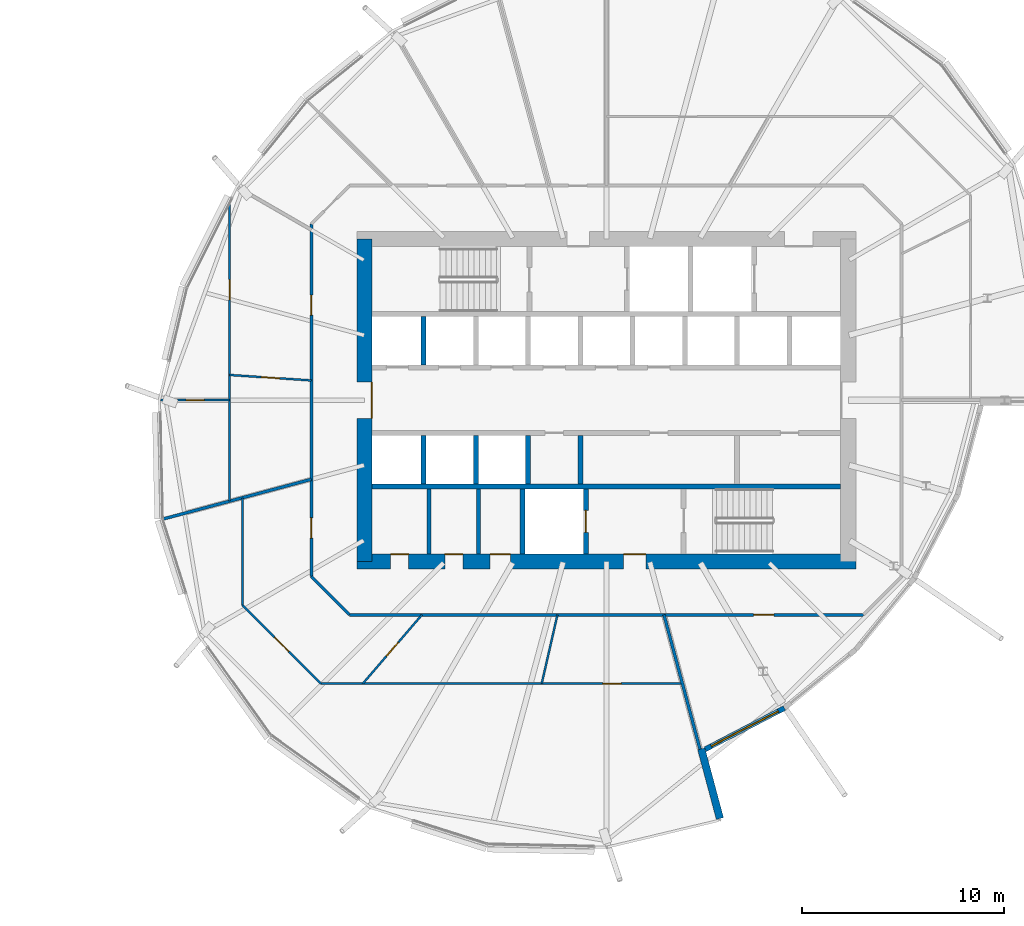
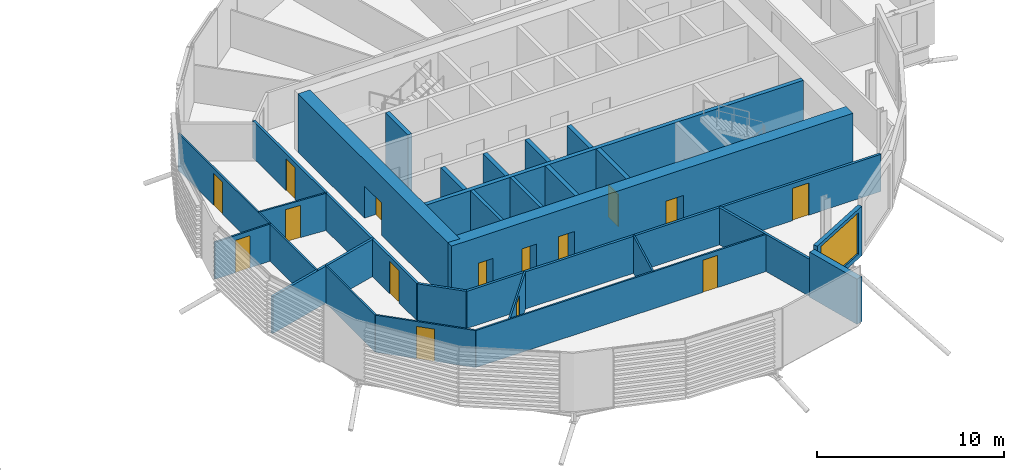
# One storey, part 23 of 39: 28 walls, 15 doors, 1 window, 16 openings.
"""IFC4 building model written with IfcOpenShell, lengths in metres."""

from ifc_helpers import new_model, si_unit, direction, frame, frame_2d, origin, place, context, subcontext, project, spatial, rectangle, extrude, material, layer, layer_set, type_object, element, fill, save


model = new_model("IFC4")

# Units and contexts
model_context = context("Model", 3, precision=1e-05, world=origin(), true_north=direction((0.0, 1.0)))
body_context = subcontext(model_context, "Body", "Model", "MODEL_VIEW")
ifc_project = project(units=[si_unit("LENGTHUNIT", "METRE"), si_unit("AREAUNIT", "SQUARE_METRE"), si_unit("VOLUMEUNIT", "CUBIC_METRE"), si_unit("PLANEANGLEUNIT", "RADIAN"), si_unit("MASSUNIT", "GRAM", prefix="KILO")], contexts=[model_context])

# Site, building, storey
site_placement = place(None, origin())
site = spatial("IfcSite", under=ifc_project, at=site_placement, CompositionType="ELEMENT")
building_placement = place(site_placement, origin())
building = spatial("IfcBuilding", under=site, at=building_placement, Name="Rimbun Link Towers", CompositionType="ELEMENT")
storey_placement = place(building_placement, frame((0.0, 0.0, 96.800048828125)))
storey = spatial("IfcBuildingStorey", under=building, at=storey_placement, Name="L23", CompositionType="ELEMENT", Elevation=96.800048828125)

# Wall, opening, window
ifc_material_1 = material(Name="Dark enamelled glass spandrel on insulated aluminium backpan", Category="aluminium")
ifc_layer_1 = layer(ifc_material_1, 0.25)
ifc_layer_set_1 = layer_set([ifc_layer_1], Name="CS dark enamelled spandrel wall 250")
wall_type_1 = type_object("IfcWallType", Name="CS dark enamelled spandrel wall 250", PredefinedType="STANDARD", material=ifc_layer_set_1)
wall_1_placement = place(storey_placement, frame((40.57958984375, -15.278564453125, 0.0), z_axis=(0.0, 0.0, 1.0), x_axis=(-0.886942309025, -0.461880223069, 0.0)))
wall_1 = element("IfcWall", 1, at=wall_1_placement, inside=storey, type_object=wall_type_1, Name="Crease spandrel wall", PredefinedType="STANDARD", context=body_context, shape_type="SweptSolid", body=[
    extrude(rectangle(XDim=4.429443359375, YDim=0.25, at=frame_2d((2.21484375, 0.0))), origin(), (0.0, 0.0, 1.0), 3.2236328125),
])
opening_1_placement = place(wall_1_placement, frame((0.33984375, 0.0, 0.300048828125)))
opening_1 = element("IfcOpeningElement", 2, at=opening_1_placement, cuts=wall_1, Name="Opening WR38H270", PredefinedType="OPENING", context=body_context, shape_type="SweptSolid", body=[
    extrude(rectangle(XDim=3.75, YDim=2.699951171875, at=frame_2d((1.875, 1.35009765625))), frame((0.0, 0.135009765625, 0.0), z_axis=(0.0, -1.0, 0.0), x_axis=(1.0, 0.0, 0.0)), (0.0, 0.0, 1.0), 0.27001953125),
])
ifc_material_2 = material(Name="Aluminium framed fixed window, dark tinted low-e glass", Category="aluminium")
window_type = type_object("IfcWindowType", Name="WR ribbon window 3750X2700", PartitioningType="SINGLE_PANEL", PredefinedType="WINDOW", material=ifc_material_2)
window_placement = place(opening_1_placement, origin())
window = element("IfcWindow", 3, at=window_placement, inside=storey, type_object=window_type, Name="Crease ribbon window", OverallHeight=2.699951171875, OverallWidth=3.75, PartitioningType="SINGLE_PANEL", PredefinedType="WINDOW", context=body_context, shape_type="SweptSolid", body=[
    extrude(rectangle(XDim=3.75, YDim=2.699951171875, at=frame_2d((1.875, 1.35009765625))), frame((0.0, 0.030029296875, 0.0), z_axis=(0.0, -1.0, 0.0), x_axis=(1.0, 0.0, 0.0)), (0.0, 0.0, 1.0), 0.06005859375),
])
fill(opening_1, window)

# Walls
ifc_material_3 = material(Name="Dark enamelled glass spandrel on insulated aluminium backpan", Category="aluminium")
ifc_layer_2 = layer(ifc_material_3, 0.3701171875)
ifc_layer_set_2 = layer_set([ifc_layer_2], Name="CS dark enamelled spandrel wall 370")
wall_type_2 = type_object("IfcWallType", Name="CS dark enamelled spandrel wall 370", PredefinedType="STANDARD", material=ifc_layer_set_2)
wall_2_placement = place(storey_placement, frame((36.453369140625, -17.30224609375, 0.0), z_axis=(0.0, 0.0, 1.0), x_axis=(0.258867887085, -0.965912737796, 0.0)))
element("IfcWall", 4, at=wall_2_placement, inside=storey, type_object=wall_type_2, Name="Crease spandrel wall", PredefinedType="STANDARD", context=body_context, shape_type="SweptSolid", body=[
    extrude(rectangle(XDim=3.580078125, YDim=0.3701171875, at=frame_2d((1.7900390625, 0.0))), origin(), (0.0, 0.0, 1.0), 2.9462890625),
])
ifc_material_4 = material(Name="Masonry blockwork", Category="masonry")
ifc_layer_3 = layer(ifc_material_4, 0.199951171875)
ifc_layer_set_3 = layer_set([ifc_layer_3], Name="Core partition 200")
wall_type_3 = type_object("IfcWallType", Name="Core partition 200", PredefinedType="PARTITIONING", material=ifc_layer_set_3)
for number, where, z_axis, x_axis, name in (
    (5, (22.949951171875, -4.39990234375, 0.0), (0.0, 0.0, 1.0), (0.0, -1.0, 0.0), "L23 T2 core wall C1"),
    (6, (25.39990234375, -4.39990234375, 0.0), (0.0, 0.0, 1.0), (0.0, -1.0, 0.0), "L23 T2 core wall C2"),
):
    element("IfcWall", number, at=place(storey_placement, frame(where, z_axis=z_axis, x_axis=x_axis)), inside=storey, type_object=wall_type_3, Name=name, PredefinedType="PARTITIONING", context=body_context, shape_type="SweptSolid", body=[
        extrude(rectangle(XDim=3.22509765625, YDim=0.199951171875, at=frame_2d((1.612548828125, 0.0))), origin(), (0.0, 0.0, 1.0), 3.800048828125),
    ])

# Wall, openings, doors
ifc_material_5 = material(Name="Concrete C60/75", Category="concrete")
ifc_layer_4 = layer(ifc_material_5, 0.75)
ifc_layer_set_4 = layer_set([ifc_layer_4], Name="Core shear wall 750")
wall_type_4 = type_object("IfcWallType", Name="Core shear wall 750", PredefinedType="SHEAR", material=ifc_layer_set_4)
wall_3_placement = place(storey_placement, frame((19.375, -8.0, 0.0), z_axis=(0.0, 0.0, 1.0), x_axis=(1.0, 0.0, 0.0)))
wall_3 = element("IfcWall", 7, at=wall_3_placement, inside=storey, type_object=wall_type_4, Name="L23 T2 core wall S", PredefinedType="SHEAR", context=body_context, shape_type="SweptSolid", body=[
    extrude(rectangle(XDim=24.75, YDim=0.75, at=frame_2d((12.375, 0.0))), origin(), (0.0, 0.0, 1.0), 3.800048828125),
])
opening_2_placement = place(wall_3_placement, frame((13.22509765625, 0.0, 0.0)))
opening_2 = element("IfcOpeningElement", 8, at=opening_2_placement, cuts=wall_3, Name="Opening C2DCF01S", PredefinedType="OPENING", context=body_context, shape_type="SweptSolid", body=[
    extrude(rectangle(XDim=1.10009765625, YDim=2.10009765625, at=frame_2d((0.550048828125, 1.050048828125))), frame((0.0, 0.385009765625, 0.0), z_axis=(0.0, -1.0, 0.0), x_axis=(1.0, 0.0, 0.0)), (0.0, 0.0, 1.0), 0.77001953125),
])
opening_3_placement = place(wall_3_placement, frame((1.66259765625, 0.0, 0.0)))
opening_3 = element("IfcOpeningElement", 9, at=opening_3_placement, cuts=wall_3, Name="Opening C2DWC02S", PredefinedType="OPENING", context=body_context, shape_type="SweptSolid", body=[
    extrude(rectangle(XDim=0.89990234375, YDim=2.10009765625, at=frame_2d((0.449951171875, 1.050048828125))), frame((0.0, 0.385009765625, 0.0), z_axis=(0.0, -1.0, 0.0), x_axis=(1.0, 0.0, 0.0)), (0.0, 0.0, 1.0), 0.77001953125),
])
opening_4_placement = place(wall_3_placement, frame((4.35009765625, 0.0, 0.0)))
opening_4 = element("IfcOpeningElement", 10, at=opening_4_placement, cuts=wall_3, Name="Opening C2DWC03S", PredefinedType="OPENING", context=body_context, shape_type="SweptSolid", body=[
    extrude(rectangle(XDim=0.89990234375, YDim=2.10009765625, at=frame_2d((0.449951171875, 1.050048828125))), frame((0.0, 0.385009765625, 0.0), z_axis=(0.0, -1.0, 0.0), x_axis=(1.0, 0.0, 0.0)), (0.0, 0.0, 1.0), 0.77001953125),
])
opening_5_placement = place(wall_3_placement, frame((6.60009765625, 0.0, 0.0)))
opening_5 = element("IfcOpeningElement", 11, at=opening_5_placement, cuts=wall_3, Name="Opening C2DAW04S", PredefinedType="OPENING", context=body_context, shape_type="SweptSolid", body=[
    extrude(rectangle(XDim=1.0, YDim=2.10009765625, at=frame_2d((0.5, 1.050048828125))), frame((0.0, 0.385009765625, 0.0), z_axis=(0.0, -1.0, 0.0), x_axis=(1.0, 0.0, 0.0)), (0.0, 0.0, 1.0), 0.77001953125),
])
ifc_material_6 = material(Name="Timber", Category="wood")
door_type_1 = type_object("IfcDoorType", Name="Accessible WC door", OperationType="SINGLE_SWING_LEFT", PredefinedType="DOOR", material=ifc_material_6)
door_1_placement = place(opening_5_placement, origin())
door_1 = element("IfcDoor", 12, at=door_1_placement, inside=storey, type_object=door_type_1, Name="L23 T2 accessible wc door", OperationType="SINGLE_SWING_RIGHT", OverallHeight=2.10009765625, OverallWidth=1.0, PredefinedType="DOOR", context=body_context, shape_type="SweptSolid", body=[
    extrude(rectangle(XDim=1.0, YDim=2.10009765625, at=frame_2d((0.5, 1.050048828125))), frame((0.0, 0.375, 0.0), z_axis=(0.0, -1.0, 0.0), x_axis=(1.0, 0.0, 0.0)), (0.0, 0.0, 1.0), 0.050048828125),
])
fill(opening_5, door_1)
ifc_material_7 = material(Name="Steel fire door set", Category="steel")
door_type_2 = type_object("IfcDoorType", Name="Core fire door single", OperationType="SINGLE_SWING_LEFT", PredefinedType="DOOR", material=ifc_material_7)
door_2_placement = place(opening_2_placement, origin())
door_2 = element("IfcDoor", 13, at=door_2_placement, inside=storey, type_object=door_type_2, Name="L23 T2 firefighting lobby s door", OperationType="SINGLE_SWING_RIGHT", OverallHeight=2.10009765625, OverallWidth=1.10009765625, PredefinedType="DOOR", context=body_context, shape_type="SweptSolid", body=[
    extrude(rectangle(XDim=1.10009765625, YDim=2.10009765625, at=frame_2d((0.550048828125, 1.050048828125))), frame((0.0, 0.375, 0.0), z_axis=(0.0, -1.0, 0.0), x_axis=(1.0, 0.0, 0.0)), (0.0, 0.0, 1.0), 0.050048828125),
])
fill(opening_2, door_2)
ifc_material_8 = material(Name="Timber", Category="wood")
door_type_3 = type_object("IfcDoorType", Name="WC door", OperationType="SINGLE_SWING_LEFT", PredefinedType="DOOR", material=ifc_material_8)
door_3_placement = place(opening_3_placement, origin())
door_3 = element("IfcDoor", 14, at=door_3_placement, inside=storey, type_object=door_type_3, Name="L23 T2 male wc door", OperationType="SINGLE_SWING_RIGHT", OverallHeight=2.10009765625, OverallWidth=0.89990234375, PredefinedType="DOOR", context=body_context, shape_type="SweptSolid", body=[
    extrude(rectangle(XDim=0.89990234375, YDim=2.10009765625, at=frame_2d((0.449951171875, 1.050048828125))), frame((0.0, 0.375, 0.0), z_axis=(0.0, -1.0, 0.0), x_axis=(1.0, 0.0, 0.0)), (0.0, 0.0, 1.0), 0.050048828125),
])
fill(opening_3, door_3)
door_4_placement = place(opening_4_placement, origin())
door_4 = element("IfcDoor", 15, at=door_4_placement, inside=storey, type_object=door_type_3, Name="L23 T2 female wc door", OperationType="SINGLE_SWING_RIGHT", OverallHeight=2.10009765625, OverallWidth=0.89990234375, PredefinedType="DOOR", context=body_context, shape_type="SweptSolid", body=[
    extrude(rectangle(XDim=0.89990234375, YDim=2.10009765625, at=frame_2d((0.449951171875, 1.050048828125))), frame((0.0, 0.375, 0.0), z_axis=(0.0, -1.0, 0.0), x_axis=(1.0, 0.0, 0.0)), (0.0, 0.0, 1.0), 0.050048828125),
])
fill(opening_4, door_4)

# Wall, opening, door
wall_4_placement = place(storey_placement, frame((19.75, -8.0, 0.0), z_axis=(0.0, 0.0, 1.0), x_axis=(0.0, 1.0, 0.0)))
wall_4 = element("IfcWall", 16, at=wall_4_placement, inside=storey, type_object=wall_type_4, Name="L23 T2 core wall W", PredefinedType="SHEAR", context=body_context, shape_type="SweptSolid", body=[
    extrude(rectangle(XDim=16.0, YDim=0.75, at=frame_2d((8.0, 0.0))), origin(), (0.0, 0.0, 1.0), 3.800048828125),
])
opening_6_placement = place(wall_4_placement, frame((7.10009765625, 0.0, 0.0)))
opening_6 = element("IfcOpeningElement", 17, at=opening_6_placement, cuts=wall_4, Name="Opening C2DCL01W", PredefinedType="OPENING", context=body_context, shape_type="SweptSolid", body=[
    extrude(rectangle(XDim=1.800048828125, YDim=2.10009765625, at=frame_2d((0.89990234375, 1.050048828125))), frame((0.0, 0.385009765625, 0.0), z_axis=(0.0, -1.0, 0.0), x_axis=(1.0, 0.0, 0.0)), (0.0, 0.0, 1.0), 0.77001953125),
])
ifc_material_9 = material(Name="Steel fire door set", Category="steel")
door_type_4 = type_object("IfcDoorType", Name="Core lobby door double", OperationType="DOUBLE_DOOR_SINGLE_SWING", PredefinedType="DOOR", material=ifc_material_9)
door_5_placement = place(opening_6_placement, origin())
door_5 = element("IfcDoor", 18, at=door_5_placement, inside=storey, type_object=door_type_4, Name="L23 T2 lift lobby door", OperationType="DOUBLE_DOOR_SINGLE_SWING", OverallHeight=2.10009765625, OverallWidth=1.800048828125, PredefinedType="DOOR", context=body_context, shape_type="SweptSolid", body=[
    extrude(rectangle(XDim=1.800048828125, YDim=2.10009765625, at=frame_2d((0.89990234375, 1.050048828125))), frame((0.0, -0.3251953125, 0.0), z_axis=(0.0, -1.0, 0.0), x_axis=(1.0, 0.0, 0.0)), (0.0, 0.0, 1.0), 0.050048828125),
])
fill(opening_6, door_5)

ifc_material_10 = material(Name="Plasterboard on steel stud, mineral wool", Category="steel")
ifc_layer_5 = layer(ifc_material_10, 0.14990234375)
ifc_layer_set_5 = layer_set([ifc_layer_5], Name="Corridor wall EI 30 150 mm")
wall_type_5 = type_object("IfcWallType", Name="Corridor wall EI 30 150 mm", PredefinedType="PARTITIONING", material=ifc_layer_set_5)
wall_5_placement = place(storey_placement, frame((44.501708984375, -10.64990234375, 0.0), z_axis=(0.0, 0.0, 1.0), x_axis=(-1.0, 0.0, 0.0)))
wall_5 = element("IfcWall", 19, at=wall_5_placement, inside=storey, type_object=wall_type_5, Name="Corridor wall EI 30 150 mm", PredefinedType="PARTITIONING", context=body_context, shape_type="SweptSolid", body=[
    extrude(rectangle(XDim=25.50341796875, YDim=0.14990234375, at=frame_2d((12.751708984375, 0.0))), origin(), (0.0, 0.0, 1.0), 2.419921875),
])
opening_7_placement = place(wall_5_placement, frame((4.448974609375, 0.0, 0.0)))
opening_7 = element("IfcOpeningElement", 20, at=opening_7_placement, cuts=wall_5, Name="Opening D01", PredefinedType="OPENING", context=body_context, shape_type="SweptSolid", body=[
    extrude(rectangle(XDim=1.0, YDim=2.10009765625, at=frame_2d((0.5, 1.050048828125))), frame((0.0, 0.0849609375, 0.0), z_axis=(0.0, -1.0, 0.0), x_axis=(1.0, 0.0, 0.0)), (0.0, 0.0, 1.0), 0.169921875),
])
ifc_material_11 = material(Name="Fire-resisting timber door leaf", Category="wood")
door_type_5 = type_object("IfcDoorType", Name="Fire door FD30S 1000", OperationType="NOTDEFINED", PredefinedType="DOOR", material=ifc_material_11)
door_6_placement = place(opening_7_placement, origin())
door_6 = element("IfcDoor", 21, at=door_6_placement, inside=storey, type_object=door_type_5, Name="Fire door FD30S 1000 to Terrace office", OperationType="SINGLE_SWING_RIGHT", OverallHeight=2.10009765625, OverallWidth=1.0, PredefinedType="DOOR", context=body_context, shape_type="SweptSolid", body=[
    extrude(rectangle(XDim=1.0, YDim=2.10009765625, at=frame_2d((0.5, 1.050048828125))), frame((0.0, 0.02490234375, 0.0), z_axis=(0.0, -1.0, 0.0), x_axis=(1.0, 0.0, 0.0)), (0.0, 0.0, 1.0), 0.050048828125),
])
fill(opening_7, door_6)

# Wall
wall_6_placement = place(storey_placement, frame((17.10009765625, -8.751708984375, 0.0), z_axis=(0.0, 0.0, 1.0), x_axis=(0.707106781187, -0.707106781187, 0.0)))
element("IfcWall", 22, at=wall_6_placement, inside=storey, type_object=wall_type_5, Name="Corridor wall EI 30 150 mm", PredefinedType="PARTITIONING", context=body_context, shape_type="SweptSolid", body=[
    extrude(rectangle(XDim=2.6845703125, YDim=0.14990234375, at=frame_2d((1.34228515625, 0.0))), origin(), (0.0, 0.0, 1.0), 2.419921875),
])

# Wall, openings, doors
wall_7_placement = place(storey_placement, frame((17.10009765625, -8.751708984375, 0.0), z_axis=(0.0, 0.0, 1.0), x_axis=(0.0, 1.0, 0.0)))
wall_7 = element("IfcWall", 23, at=wall_7_placement, inside=storey, type_object=wall_type_5, Name="Corridor wall EI 30 150 mm", PredefinedType="PARTITIONING", context=body_context, shape_type="SweptSolid", body=[
    extrude(rectangle(XDim=17.50341796875, YDim=0.14990234375, at=frame_2d((8.751708984375, 0.0))), origin(), (0.0, 0.0, 1.0), 2.419921875),
])
opening_8_placement = place(wall_7_placement, frame((12.971435546875, 0.0, 0.0)))
opening_8 = element("IfcOpeningElement", 24, at=opening_8_placement, cuts=wall_7, Name="Opening D01", PredefinedType="OPENING", context=body_context, shape_type="SweptSolid", body=[
    extrude(rectangle(XDim=1.0, YDim=2.10009765625, at=frame_2d((0.5, 1.050048828125))), frame((0.0, 0.0849609375, 0.0), z_axis=(0.0, -1.0, 0.0), x_axis=(1.0, 0.0, 0.0)), (0.0, 0.0, 1.0), 0.169921875),
])
opening_9_placement = place(wall_7_placement, frame((1.9130859375, 0.0, 0.0)))
opening_9 = element("IfcOpeningElement", 25, at=opening_9_placement, cuts=wall_7, Name="Opening D01", PredefinedType="OPENING", context=body_context, shape_type="SweptSolid", body=[
    extrude(rectangle(XDim=1.0, YDim=2.10009765625, at=frame_2d((0.5, 1.050048828125))), frame((0.0, 0.0849609375, 0.0), z_axis=(0.0, -1.0, 0.0), x_axis=(1.0, 0.0, 0.0)), (0.0, 0.0, 1.0), 0.169921875),
])
door_7_placement = place(opening_8_placement, origin())
door_7 = element("IfcDoor", 26, at=door_7_placement, inside=storey, type_object=door_type_5, Name="Fire door FD30S 1000 to Reception", OperationType="SINGLE_SWING_RIGHT", OverallHeight=2.10009765625, OverallWidth=1.0, PredefinedType="DOOR", context=body_context, shape_type="SweptSolid", body=[
    extrude(rectangle(XDim=1.0, YDim=2.10009765625, at=frame_2d((0.5, 1.050048828125))), frame((0.0, 0.02490234375, 0.0), z_axis=(0.0, -1.0, 0.0), x_axis=(1.0, 0.0, 0.0)), (0.0, 0.0, 1.0), 0.050048828125),
])
fill(opening_8, door_7)
door_8_placement = place(opening_9_placement, origin())
door_8 = element("IfcDoor", 27, at=door_8_placement, inside=storey, type_object=door_type_5, Name="Fire door FD30S 1000 to Reception", OperationType="SINGLE_SWING_LEFT", OverallHeight=2.10009765625, OverallWidth=1.0, PredefinedType="DOOR", context=body_context, shape_type="SweptSolid", body=[
    extrude(rectangle(XDim=1.0, YDim=2.10009765625, at=frame_2d((0.5, 1.050048828125))), frame((0.0, 0.02490234375, 0.0), z_axis=(0.0, -1.0, 0.0), x_axis=(1.0, 0.0, 0.0)), (0.0, 0.0, 1.0), 0.050048828125),
])
fill(opening_9, door_8)

# Wall, opening, door
ifc_material_12 = material(Name="Plasterboard on steel stud", Category="steel")
ifc_layer_6 = layer(ifc_material_12, 0.10009765625)
ifc_layer_set_6 = layer_set([ifc_layer_6], Name="Plasterboard partition 100 mm")
wall_type_6 = type_object("IfcWallType", Name="Plasterboard partition 100 mm", PredefinedType="PARTITIONING", material=ifc_layer_set_6)
wall_8_placement = place(storey_placement, frame((17.10009765625, 0.981201171875, 0.0), z_axis=(0.0, 0.0, 1.0), x_axis=(-0.997764885584, 0.066822399655, 0.0)))
wall_8 = element("IfcWall", 28, at=wall_8_placement, inside=storey, type_object=wall_type_6, Name="Plasterboard partition 100 mm", PredefinedType="PARTITIONING", context=body_context, shape_type="SweptSolid", body=[
    extrude(rectangle(XDim=4.05908203125, YDim=0.10009765625, at=frame_2d((2.029541015625, 0.0))), origin(), (0.0, 0.0, 1.0), 2.419921875),
])
opening_10_placement = place(wall_8_placement, frame((1.57958984375, 0.0, 0.0)))
opening_10 = element("IfcOpeningElement", 29, at=opening_10_placement, cuts=wall_8, Name="Opening D04", PredefinedType="OPENING", context=body_context, shape_type="SweptSolid", body=[
    extrude(rectangle(XDim=0.89990234375, YDim=2.10009765625, at=frame_2d((0.449951171875, 1.050048828125))), frame((0.0, 0.06005859375, 0.0), z_axis=(0.0, -1.0, 0.0), x_axis=(1.0, 0.0, 0.0)), (0.0, 0.0, 1.0), 0.1201171875),
])
ifc_material_13 = material(Name="Timber door leaf", Category="wood")
door_type_6 = type_object("IfcDoorType", Name="Flush door 900", OperationType="NOTDEFINED", PredefinedType="DOOR", material=ifc_material_13)
door_9_placement = place(opening_10_placement, origin())
door_9 = element("IfcDoor", 30, at=door_9_placement, inside=storey, type_object=door_type_6, Name="Flush door 900 to Pantry", OperationType="SINGLE_SWING_LEFT", OverallHeight=2.10009765625, OverallWidth=0.89990234375, PredefinedType="DOOR", context=body_context, shape_type="SweptSolid", body=[
    extrude(rectangle(XDim=0.89990234375, YDim=2.10009765625, at=frame_2d((0.449951171875, 1.050048828125))), frame((0.0, 0.02490234375, 0.0), z_axis=(0.0, -1.0, 0.0), x_axis=(1.0, 0.0, 0.0)), (0.0, 0.0, 1.0), 0.050048828125),
])
fill(opening_10, door_9)

wall_9_placement = place(storey_placement, frame((13.050048828125, 0.0, 0.0), z_axis=(0.0, 0.0, 1.0), x_axis=(0.0, 1.0, 0.0)))
wall_9 = element("IfcWall", 31, at=wall_9_placement, inside=storey, type_object=wall_type_6, Name="Plasterboard partition 100 mm", PredefinedType="PARTITIONING", context=body_context, shape_type="SweptSolid", body=[
    extrude(rectangle(XDim=9.74658203125, YDim=0.10009765625, at=frame_2d((4.873291015625, 0.0))), origin(), (0.0, 0.0, 1.0), 2.419921875),
])
opening_11_placement = place(wall_9_placement, frame((4.984619140625, 0.0, 0.0)))
opening_11 = element("IfcOpeningElement", 32, at=opening_11_placement, cuts=wall_9, Name="Opening D03", PredefinedType="OPENING", context=body_context, shape_type="SweptSolid", body=[
    extrude(rectangle(XDim=1.0, YDim=2.10009765625, at=frame_2d((0.5, 1.050048828125))), frame((0.0, 0.06005859375, 0.0), z_axis=(0.0, -1.0, 0.0), x_axis=(1.0, 0.0, 0.0)), (0.0, 0.0, 1.0), 0.1201171875),
])
ifc_material_14 = material(Name="Timber door leaf", Category="wood")
door_type_7 = type_object("IfcDoorType", Name="Flush door 1000", OperationType="NOTDEFINED", PredefinedType="DOOR", material=ifc_material_14)
door_10_placement = place(opening_11_placement, origin())
door_10 = element("IfcDoor", 33, at=door_10_placement, inside=storey, type_object=door_type_7, Name="Flush door 1000 to Boardroom", OperationType="SINGLE_SWING_RIGHT", OverallHeight=2.10009765625, OverallWidth=1.0, PredefinedType="DOOR", context=body_context, shape_type="SweptSolid", body=[
    extrude(rectangle(XDim=1.0, YDim=2.10009765625, at=frame_2d((0.5, 1.050048828125))), frame((0.0, 0.02490234375, 0.0), z_axis=(0.0, -1.0, 0.0), x_axis=(1.0, 0.0, 0.0)), (0.0, 0.0, 1.0), 0.050048828125),
])
fill(opening_11, door_10)

# Wall
wall_10_placement = place(storey_placement, frame((13.050048828125, 0.0, 0.0), z_axis=(0.0, 0.0, 1.0), x_axis=(0.0, -1.0, 0.0)))
element("IfcWall", 34, at=wall_10_placement, inside=storey, type_object=wall_type_6, Name="Plasterboard partition 100 mm", PredefinedType="PARTITIONING", context=body_context, shape_type="SweptSolid", body=[
    extrude(rectangle(XDim=5.0107421875, YDim=0.10009765625, at=frame_2d((2.50537109375, 0.0))), origin(), (0.0, 0.0, 1.0), 2.419921875),
])

# Wall, opening, door
wall_11_placement = place(storey_placement, frame((13.050048828125, 0.0, 0.0), z_axis=(0.0, 0.0, 1.0), x_axis=(-1.0, 0.0, 0.0)))
wall_11 = element("IfcWall", 35, at=wall_11_placement, inside=storey, type_object=wall_type_6, Name="Plasterboard partition 100 mm", PredefinedType="PARTITIONING", context=body_context, shape_type="SweptSolid", body=[
    extrude(rectangle(XDim=3.428955078125, YDim=0.10009765625, at=frame_2d((1.71435546875, 0.0))), origin(), (0.0, 0.0, 1.0), 2.419921875),
])
opening_12_placement = place(wall_11_placement, frame((1.264404296875, 0.0, 0.0)))
opening_12 = element("IfcOpeningElement", 36, at=opening_12_placement, cuts=wall_11, Name="Opening D04", PredefinedType="OPENING", context=body_context, shape_type="SweptSolid", body=[
    extrude(rectangle(XDim=0.89990234375, YDim=2.10009765625, at=frame_2d((0.449951171875, 1.050048828125))), frame((0.0, 0.06005859375, 0.0), z_axis=(0.0, -1.0, 0.0), x_axis=(1.0, 0.0, 0.0)), (0.0, 0.0, 1.0), 0.1201171875),
])
door_11_placement = place(opening_12_placement, origin())
door_11 = element("IfcDoor", 37, at=door_11_placement, inside=storey, type_object=door_type_6, Name="Flush door 900 to Meeting room", OperationType="SINGLE_SWING_LEFT", OverallHeight=2.10009765625, OverallWidth=0.89990234375, PredefinedType="DOOR", context=body_context, shape_type="SweptSolid", body=[
    extrude(rectangle(XDim=0.89990234375, YDim=2.10009765625, at=frame_2d((0.449951171875, 1.050048828125))), frame((0.0, 0.02490234375, 0.0), z_axis=(0.0, -1.0, 0.0), x_axis=(1.0, 0.0, 0.0)), (0.0, 0.0, 1.0), 0.050048828125),
])
fill(opening_12, door_11)

wall_12_placement = place(storey_placement, frame((22.593017578125, -10.64990234375, 0.0), z_axis=(0.0, 0.0, 1.0), x_axis=(-0.651922889365, -0.758285267114, 0.0)))
wall_12 = element("IfcWall", 38, at=wall_12_placement, inside=storey, type_object=wall_type_6, Name="Plasterboard partition 100 mm", PredefinedType="PARTITIONING", context=body_context, shape_type="SweptSolid", body=[
    extrude(rectangle(XDim=4.510498046875, YDim=0.10009765625, at=frame_2d((2.25537109375, 0.0))), origin(), (0.0, 0.0, 1.0), 2.419921875),
])
opening_13_placement = place(wall_12_placement, frame((1.80517578125, 0.0, 0.0)))
opening_13 = element("IfcOpeningElement", 39, at=opening_13_placement, cuts=wall_12, Name="Opening D04", PredefinedType="OPENING", context=body_context, shape_type="SweptSolid", body=[
    extrude(rectangle(XDim=0.89990234375, YDim=2.10009765625, at=frame_2d((0.449951171875, 1.050048828125))), frame((0.0, 0.06005859375, 0.0), z_axis=(0.0, -1.0, 0.0), x_axis=(1.0, 0.0, 0.0)), (0.0, 0.0, 1.0), 0.1201171875),
])
door_12_placement = place(opening_13_placement, origin())
door_12 = element("IfcDoor", 40, at=door_12_placement, inside=storey, type_object=door_type_6, Name="Flush door 900 to Meeting room", OperationType="SINGLE_SWING_RIGHT", OverallHeight=2.10009765625, OverallWidth=0.89990234375, PredefinedType="DOOR", context=body_context, shape_type="SweptSolid", body=[
    extrude(rectangle(XDim=0.89990234375, YDim=2.10009765625, at=frame_2d((0.449951171875, 1.050048828125))), frame((0.0, 0.02490234375, 0.0), z_axis=(0.0, -1.0, 0.0), x_axis=(1.0, 0.0, 0.0)), (0.0, 0.0, 1.0), 0.050048828125),
])
fill(opening_13, door_12)

wall_13_placement = place(storey_placement, frame((17.581787109375, -14.070068359375, 0.0), z_axis=(0.0, 0.0, 1.0), x_axis=(-0.707106781187, 0.707106781187, 0.0)))
wall_13 = element("IfcWall", 41, at=wall_13_placement, inside=storey, type_object=wall_type_6, Name="Plasterboard partition 100 mm", PredefinedType="PARTITIONING", context=body_context, shape_type="SweptSolid", body=[
    extrude(rectangle(XDim=5.51806640625, YDim=0.10009765625, at=frame_2d((2.759033203125, 0.0))), origin(), (0.0, 0.0, 1.0), 2.419921875),
])
opening_14_placement = place(wall_13_placement, frame((2.2587890625, 0.0, 0.0)))
opening_14 = element("IfcOpeningElement", 42, at=opening_14_placement, cuts=wall_13, Name="Opening D03", PredefinedType="OPENING", context=body_context, shape_type="SweptSolid", body=[
    extrude(rectangle(XDim=1.0, YDim=2.10009765625, at=frame_2d((0.5, 1.050048828125))), frame((0.0, 0.06005859375, 0.0), z_axis=(0.0, -1.0, 0.0), x_axis=(1.0, 0.0, 0.0)), (0.0, 0.0, 1.0), 0.1201171875),
])
door_13_placement = place(opening_14_placement, origin())
door_13 = element("IfcDoor", 43, at=door_13_placement, inside=storey, type_object=door_type_7, Name="Flush door 1000 to Open office", OperationType="SINGLE_SWING_LEFT", OverallHeight=2.10009765625, OverallWidth=1.0, PredefinedType="DOOR", context=body_context, shape_type="SweptSolid", body=[
    extrude(rectangle(XDim=1.0, YDim=2.10009765625, at=frame_2d((0.5, 1.050048828125))), frame((0.0, 0.02490234375, 0.0), z_axis=(0.0, -1.0, 0.0), x_axis=(1.0, 0.0, 0.0)), (0.0, 0.0, 1.0), 0.050048828125),
])
fill(opening_14, door_13)

# Wall
wall_14_placement = place(storey_placement, frame((13.679931640625, -4.841796875, 0.0), z_axis=(0.0, 0.0, 1.0), x_axis=(0.0, -1.0, 0.0)))
element("IfcWall", 44, at=wall_14_placement, inside=storey, type_object=wall_type_6, Name="Plasterboard partition 100 mm", PredefinedType="PARTITIONING", context=body_context, shape_type="SweptSolid", body=[
    extrude(rectangle(XDim=5.326416015625, YDim=0.10009765625, at=frame_2d((2.6630859375, 0.0))), origin(), (0.0, 0.0, 1.0), 2.419921875),
])

# Wall, opening, door
wall_15_placement = place(storey_placement, frame((17.581787109375, -14.070068359375, 0.0), z_axis=(0.0, 0.0, 1.0), x_axis=(1.0, 0.0, 0.0)))
wall_15 = element("IfcWall", 45, at=wall_15_placement, inside=storey, type_object=wall_type_6, Name="Plasterboard partition 100 mm", PredefinedType="PARTITIONING", context=body_context, shape_type="SweptSolid", body=[
    extrude(rectangle(XDim=17.938232421875, YDim=0.10009765625, at=frame_2d((8.96923828125, 0.0))), origin(), (0.0, 0.0, 1.0), 2.419921875),
])
opening_15_placement = place(wall_15_placement, frame((13.99560546875, 0.0, 0.0)))
opening_15 = element("IfcOpeningElement", 46, at=opening_15_placement, cuts=wall_15, Name="Opening D04", PredefinedType="OPENING", context=body_context, shape_type="SweptSolid", body=[
    extrude(rectangle(XDim=0.89990234375, YDim=2.10009765625, at=frame_2d((0.449951171875, 1.050048828125))), frame((0.0, 0.06005859375, 0.0), z_axis=(0.0, -1.0, 0.0), x_axis=(1.0, 0.0, 0.0)), (0.0, 0.0, 1.0), 0.1201171875),
])
door_14_placement = place(opening_15_placement, origin())
door_14 = element("IfcDoor", 47, at=door_14_placement, inside=storey, type_object=door_type_6, Name="Flush door 900 to Print room", OperationType="SINGLE_SWING_LEFT", OverallHeight=2.10009765625, OverallWidth=0.89990234375, PredefinedType="DOOR", context=body_context, shape_type="SweptSolid", body=[
    extrude(rectangle(XDim=0.89990234375, YDim=2.10009765625, at=frame_2d((0.449951171875, 1.050048828125))), frame((0.0, 0.02490234375, 0.0), z_axis=(0.0, -1.0, 0.0), x_axis=(1.0, 0.0, 0.0)), (0.0, 0.0, 1.0), 0.050048828125),
])
fill(opening_15, door_14)

# Walls
wall_16_placement = place(storey_placement, frame((28.53466796875, -14.070068359375, 0.0), z_axis=(0.0, 0.0, 1.0), x_axis=(0.222821022474, 0.974859370342, 0.0)))
element("IfcWall", 48, at=wall_16_placement, inside=storey, type_object=wall_type_6, Name="Plasterboard partition 100 mm", PredefinedType="PARTITIONING", context=body_context, shape_type="SweptSolid", body=[
    extrude(rectangle(XDim=3.50830078125, YDim=0.10009765625, at=frame_2d((1.754150390625, 0.0))), origin(), (0.0, 0.0, 1.0), 2.419921875),
])
ifc_material_15 = material(Name="Concrete C60/75", Category="concrete")
ifc_layer_7 = layer(ifc_material_15, 0.25)
ifc_layer_set_7 = layer_set([ifc_layer_7], Name="Shaft wall 250")
wall_type_7 = type_object("IfcWallType", Name="Shaft wall 250", PredefinedType="SHEAR", material=ifc_layer_set_7)
wall_17_placement = place(storey_placement, frame((20.125, -4.27490234375, 0.0), z_axis=(0.0, 0.0, 1.0), x_axis=(1.0, 0.0, 0.0)))
element("IfcWall", 49, at=wall_17_placement, inside=storey, type_object=wall_type_7, Name="L23 T2 core wall BS", PredefinedType="SHEAR", context=body_context, shape_type="SweptSolid", body=[
    extrude(rectangle(XDim=23.25, YDim=0.25, at=frame_2d((11.625, 0.0))), origin(), (0.0, 0.0, 1.0), 3.800048828125),
])
for number, where, z_axis, x_axis, name in (
    (50, (22.66943359375, 1.75, 0.0), (0.0, 0.0, 1.0), (0.0, 1.0, 0.0), "L23 T2 core wall DN0"),
    (51, (22.66943359375, -4.14990234375, 0.0), (0.0, 0.0, 1.0), (0.0, 1.0, 0.0), "L23 T2 core wall DS0"),
    (52, (25.263916015625, -4.14990234375, 0.0), (0.0, 0.0, 1.0), (0.0, 1.0, 0.0), "L23 T2 core wall DS1"),
    (53, (27.8583984375, -4.14990234375, 0.0), (0.0, 0.0, 1.0), (0.0, 1.0, 0.0), "L23 T2 core wall DS2"),
    (54, (30.452880859375, -4.14990234375, 0.0), (0.0, 0.0, 1.0), (0.0, 1.0, 0.0), "L23 T2 core wall DS3"),
):
    element("IfcWall", number, at=place(storey_placement, frame(where, z_axis=z_axis, x_axis=x_axis)), inside=storey, type_object=wall_type_7, Name=name, PredefinedType="SHEAR", context=body_context, shape_type="SweptSolid", body=[
        extrude(rectangle(XDim=2.39990234375, YDim=0.25, at=frame_2d((1.199951171875, 0.0))), origin(), (0.0, 0.0, 1.0), 3.800048828125),
    ])

# Wall, opening, door
wall_18_placement = place(storey_placement, frame((30.72509765625, -4.39990234375, 0.0), z_axis=(0.0, 0.0, 1.0), x_axis=(0.0, -1.0, 0.0)))
wall_18 = element("IfcWall", 55, at=wall_18_placement, inside=storey, type_object=wall_type_7, Name="L23 T2 core wall B2", PredefinedType="SHEAR", context=body_context, shape_type="SweptSolid", body=[
    extrude(rectangle(XDim=3.22509765625, YDim=0.25, at=frame_2d((1.612548828125, 0.0))), origin(), (0.0, 0.0, 1.0), 3.800048828125),
])
opening_16_placement = place(wall_18_placement, frame((1.0625, 0.0, 0.0)))
opening_16 = element("IfcOpeningElement", 56, at=opening_16_placement, cuts=wall_18, Name="Opening LD-T2-FF2", PredefinedType="OPENING", context=body_context, shape_type="SweptSolid", body=[
    extrude(rectangle(XDim=1.10009765625, YDim=2.10009765625, at=frame_2d((0.550048828125, 1.050048828125))), frame((0.0, 0.135009765625, 0.0), z_axis=(0.0, -1.0, 0.0), x_axis=(1.0, 0.0, 0.0)), (0.0, 0.0, 1.0), 0.27001953125),
])
ifc_material_16 = material(Name="Stainless steel grade 316", Category="steel")
door_type_8 = type_object("IfcDoorType", Name="Lift landing door", OperationType="DOUBLE_DOOR_SLIDING", PredefinedType="DOOR", material=ifc_material_16)
door_15_placement = place(opening_16_placement, origin())
door_15 = element("IfcDoor", 57, at=door_15_placement, inside=storey, type_object=door_type_8, Name="L23 T2 lift FF2 landing door", OperationType="DOUBLE_DOOR_SLIDING", OverallHeight=2.10009765625, OverallWidth=1.10009765625, PredefinedType="DOOR", context=body_context, shape_type="SweptSolid", body=[
    extrude(rectangle(XDim=1.10009765625, YDim=2.10009765625, at=frame_2d((0.550048828125, 1.050048828125))), frame((0.0, 0.02490234375, 0.0), z_axis=(0.0, -1.0, 0.0), x_axis=(1.0, 0.0, 0.0)), (0.0, 0.0, 1.0), 0.050048828125),
])
fill(opening_16, door_15)

# Walls
wall_19_placement = place(storey_placement, frame((27.574951171875, -4.39990234375, 0.0), z_axis=(0.0, 0.0, 1.0), x_axis=(0.0, -1.0, 0.0)))
element("IfcWall", 58, at=wall_19_placement, inside=storey, type_object=wall_type_7, Name="L23 T2 core wall B3", PredefinedType="SHEAR", context=body_context, shape_type="SweptSolid", body=[
    extrude(rectangle(XDim=3.22509765625, YDim=0.25, at=frame_2d((1.612548828125, 0.0))), origin(), (0.0, 0.0, 1.0), 3.800048828125),
])
ifc_material_17 = material(Name="Plasterboard on steel stud, mineral wool", Category="steel")
ifc_layer_8 = layer(ifc_material_17, 0.14990234375)
ifc_layer_set_8 = layer_set([ifc_layer_8], Name="Tenancy separation wall EI 60 150 mm")
wall_type_8 = type_object("IfcWallType", Name="Tenancy separation wall EI 60 150 mm", PredefinedType="PARTITIONING", material=ifc_layer_set_8)
wall_20_placement = place(storey_placement, frame((17.10009765625, -3.925537109375, 0.0), z_axis=(0.0, 0.0, 1.0), x_axis=(-0.965927728967, -0.258811944109, 0.0)))
element("IfcWall", 59, at=wall_20_placement, inside=storey, type_object=wall_type_8, Name="Tenancy separation wall EI 60 150 mm", PredefinedType="PARTITIONING", context=body_context, shape_type="SweptSolid", body=[
    extrude(rectangle(XDim=7.614501953125, YDim=0.14990234375, at=frame_2d((3.80712890625, 0.0))), origin(), (0.0, 0.0, 1.0), 2.419921875),
])
wall_21_placement = place(storey_placement, frame((34.603759765625, -10.64990234375, 0.0), z_axis=(0.0, 0.0, 1.0), x_axis=(0.258800302988, -0.965930848029, 0.0)))
element("IfcWall", 60, at=wall_21_placement, inside=storey, type_object=wall_type_8, Name="Tenancy separation wall EI 60 150 mm", PredefinedType="PARTITIONING", context=body_context, shape_type="SweptSolid", body=[
    extrude(rectangle(XDim=6.904296875, YDim=0.14990234375, at=frame_2d((3.4521484375, 0.0))), origin(), (0.0, 0.0, 1.0), 2.419921875),
])

save(model, "model.ifc")
